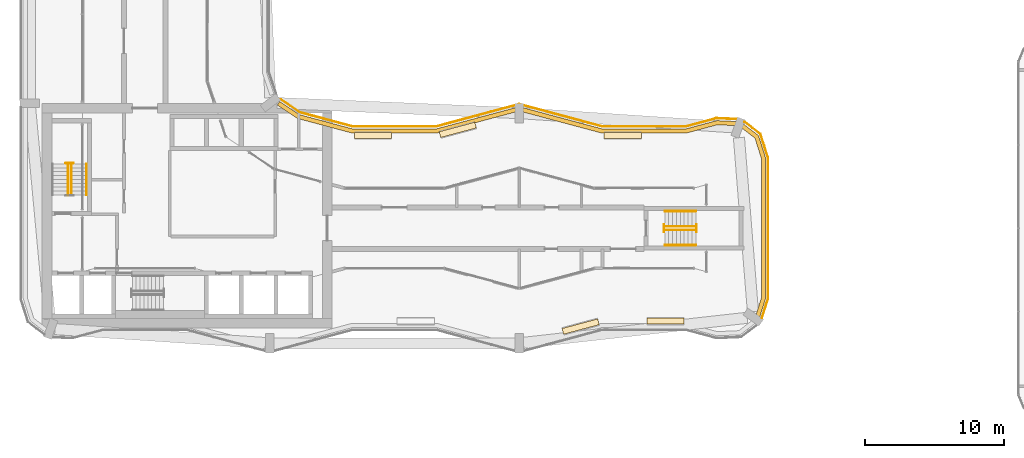
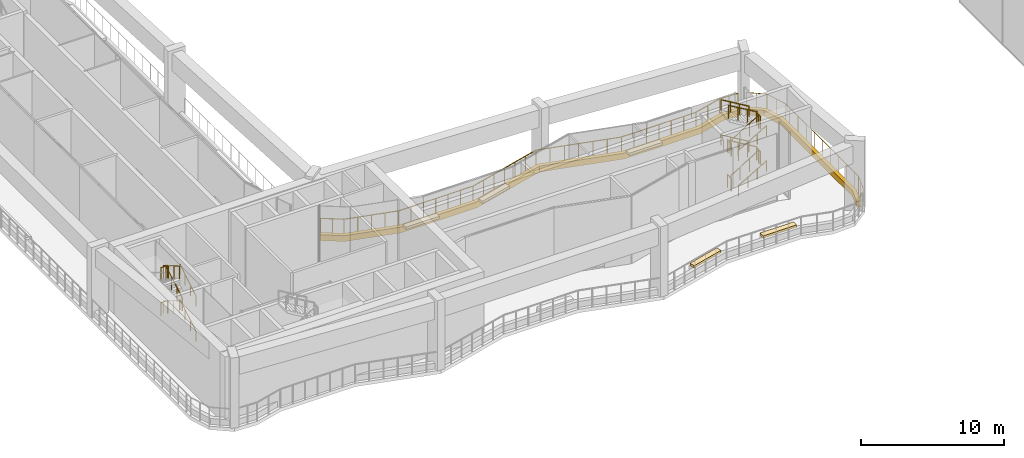
# One storey, part 22 of 24: 21 railings, 7 coverings.
"""IFC4 building model written with IfcOpenShell, lengths in metres."""

from ifc_helpers import new_model, si_unit, direction, frame, origin, origin_2d, place, context, subcontext, project, spatial, polyline, circle, outline, extrude, material, layer, layer_set, type_object, element, save


model = new_model("IFC4")

# Units and contexts
model_context = context("Model", 3, precision=1e-05, world=origin(), true_north=direction((0.0, 1.0)))
body_context = subcontext(model_context, "Body", "Model", "MODEL_VIEW")
ifc_project = project(units=[si_unit("LENGTHUNIT", "METRE"), si_unit("AREAUNIT", "SQUARE_METRE"), si_unit("VOLUMEUNIT", "CUBIC_METRE"), si_unit("PLANEANGLEUNIT", "RADIAN"), si_unit("MASSUNIT", "GRAM", prefix="KILO")], contexts=[model_context])

# Site, building, storey
site_placement = place(None, origin())
site = spatial("IfcSite", under=ifc_project, at=site_placement, CompositionType="ELEMENT")
building_placement = place(site_placement, origin())
building = spatial("IfcBuilding", under=site, at=building_placement, Name="Plateau Cross Towers", CompositionType="ELEMENT")
storey_placement = place(building_placement, frame((0.0, 0.0, 72.300048828125)))
storey = spatial("IfcBuildingStorey", under=building, at=storey_placement, Name="L18", CompositionType="ELEMENT", Elevation=72.300048828125)

# Railings
ifc_material_1 = material(Name="Stainless steel and toughened glass", Category="steel")
railing_type_1 = type_object("IfcRailingType", Name="Glass balustrade guard 1600", PredefinedType="GUARDRAIL", material=ifc_material_1)
railing_1_placement = place(storey_placement, frame((53.49609375, 2.5107421875, 0.0)))
element("IfcRailing", 1, at=railing_1_placement, inside=storey, type_object=railing_type_1, Name="Guard A535_22", PredefinedType="GUARDRAIL", context=body_context, shape_type="SweptSolid", body=[
    extrude(circle(Radius=0.02392578125, at=origin_2d()), frame((0.0, 0.0, 1.576171875), z_axis=(0.30070387127, 0.953717558716, 0.0), x_axis=(-0.953717558716, 0.30070387127, 0.0)), (0.0, 0.0, 1.0), 1.47607421875),
    extrude(circle(Radius=0.02392578125, at=origin_2d()), frame((0.44384765625, 1.40771484375, 1.576171875), z_axis=(0.0, 1.0, 0.0), x_axis=(-1.0, 0.0, 0.0)), (0.0, 0.0, 1.0), 10.1630859375),
    extrude(circle(Radius=0.02392578125, at=origin_2d()), frame((0.44384765625, 11.57080078125, 1.576171875), z_axis=(-0.300637904714, 0.953738355237, 0.0), x_axis=(-0.953738355237, -0.300637904714, 0.0)), (0.0, 0.0, 1.0), 1.776123046875),
    extrude(circle(Radius=0.02392578125, at=origin_2d()), frame((-0.090087890625, 13.2646484375, 1.576171875), z_axis=(-0.793378517032, 0.608728616636, 0.0), x_axis=(-0.608728616636, -0.793378517032, 0.0)), (0.0, 0.0, 1.0), 1.46630859375),
    extrude(circle(Radius=0.02099609375, at=origin_2d()), origin(), (0.0, 0.0, 1.0), 1.552001953125),
    extrude(circle(Radius=0.02099609375, at=origin_2d()), frame((0.221923828125, 0.703857421875, 0.0)), (0.0, 0.0, 1.0), 1.552001953125),
    extrude(circle(Radius=0.02099609375, at=origin_2d()), frame((0.44384765625, 1.40771484375, 0.0)), (0.0, 0.0, 1.0), 1.552001953125),
    extrude(circle(Radius=0.02099609375, at=origin_2d()), frame((0.44384765625, 1.9892578125, 0.0)), (0.0, 0.0, 1.0), 1.552001953125),
    extrude(circle(Radius=0.02099609375, at=origin_2d()), frame((0.44384765625, 3.1142578125, 0.0)), (0.0, 0.0, 1.0), 1.552001953125),
    extrude(circle(Radius=0.02099609375, at=origin_2d()), frame((0.44384765625, 4.2392578125, 0.0)), (0.0, 0.0, 1.0), 1.552001953125),
    extrude(circle(Radius=0.02099609375, at=origin_2d()), frame((0.44384765625, 5.3642578125, 0.0)), (0.0, 0.0, 1.0), 1.552001953125),
    extrude(circle(Radius=0.02099609375, at=origin_2d()), frame((0.44384765625, 6.4892578125, 0.0)), (0.0, 0.0, 1.0), 1.552001953125),
    extrude(circle(Radius=0.02099609375, at=origin_2d()), frame((0.44384765625, 7.6142578125, 0.0)), (0.0, 0.0, 1.0), 1.552001953125),
    extrude(circle(Radius=0.02099609375, at=origin_2d()), frame((0.44384765625, 8.7392578125, 0.0)), (0.0, 0.0, 1.0), 1.552001953125),
    extrude(circle(Radius=0.02099609375, at=origin_2d()), frame((0.44384765625, 9.8642578125, 0.0)), (0.0, 0.0, 1.0), 1.552001953125),
    extrude(circle(Radius=0.02099609375, at=origin_2d()), frame((0.44384765625, 10.9892578125, 0.0)), (0.0, 0.0, 1.0), 1.552001953125),
    extrude(circle(Radius=0.02099609375, at=origin_2d()), frame((0.44384765625, 11.57080078125, 0.0)), (0.0, 0.0, 1.0), 1.552001953125),
    extrude(circle(Radius=0.02099609375, at=origin_2d()), frame((0.1767578125, 12.417724609375, 0.0)), (0.0, 0.0, 1.0), 1.552001953125),
    extrude(circle(Radius=0.02099609375, at=origin_2d()), frame((-0.090087890625, 13.2646484375, 0.0)), (0.0, 0.0, 1.0), 1.552001953125),
    extrude(circle(Radius=0.02099609375, at=origin_2d()), frame((-0.671875, 13.7109375, 0.0)), (0.0, 0.0, 1.0), 1.552001953125),
    extrude(circle(Radius=0.02099609375, at=origin_2d()), frame((-1.25341796875, 14.1572265625, 0.0)), (0.0, 0.0, 1.0), 1.552001953125),
])
railing_2_placement = place(storey_placement, frame((51.705078125, 16.86376953125, 0.0)))
element("IfcRailing", 2, at=railing_2_placement, inside=storey, type_object=railing_type_1, Name="Guard A520_169", PredefinedType="GUARDRAIL", context=body_context, shape_type="SweptSolid", body=[
    extrude(circle(Radius=0.02392578125, at=origin_2d()), frame((0.0, 0.0, 1.576171875), z_axis=(-0.999038915809, 0.043832005412, 0.0), x_axis=(-0.043832005412, -0.999038915809, 0.0)), (0.0, 0.0, 1.0), 1.47607421875),
    extrude(circle(Radius=0.02392578125, at=origin_2d()), frame((-1.474609375, 0.064697265625, 1.576171875), z_axis=(-0.96593668607, -0.258778512448, 0.0), x_axis=(0.258778512448, -0.96593668607, 0.0)), (0.0, 0.0, 1.0), 2.301025390625),
    extrude(circle(Radius=0.02392578125, at=origin_2d()), frame((-3.697265625, -0.53076171875, 1.576171875), z_axis=(-1.0, 0.0, 0.0), x_axis=(0.0, -1.0, 0.0)), (0.0, 0.0, 1.0), 6.015625),
    extrude(circle(Radius=0.02392578125, at=origin_2d()), frame((-9.712890625, -0.53076171875, 1.576171875), z_axis=(-0.965950861745, 0.258725593428, 0.0), x_axis=(-0.258725593428, -0.965950861745, 0.0)), (0.0, 0.0, 1.0), 6.203369140625),
    extrude(circle(Radius=0.02392578125, at=origin_2d()), frame((-15.705078125, 1.07421875, 1.576171875), z_axis=(-0.965950861745, -0.258725593428, 0.0), x_axis=(0.258725593428, -0.965950861745, 0.0)), (0.0, 0.0, 1.0), 6.203369140625),
    extrude(circle(Radius=0.02392578125, at=origin_2d()), frame((-21.697265625, -0.53076171875, 1.576171875), z_axis=(-1.0, 0.0, 0.0), x_axis=(0.0, -1.0, 0.0)), (0.0, 0.0, 1.0), 6.015625),
    extrude(circle(Radius=0.02392578125, at=origin_2d()), frame((-27.712890625, -0.53076171875, 1.576171875), z_axis=(-0.965947496606, 0.258738156833, 0.0), x_axis=(-0.258738156833, -0.965947496606, 0.0)), (0.0, 0.0, 1.0), 3.92724609375),
    extrude(circle(Radius=0.02392578125, at=origin_2d()), frame((-31.50634765625, 0.4853515625, 1.576171875), z_axis=(-0.831551820231, 0.555447180451, 0.0), x_axis=(-0.555447180451, -0.831551820231, 0.0)), (0.0, 0.0, 1.0), 1.658935546875),
    extrude(circle(Radius=0.02099609375, at=origin_2d()), origin(), (0.0, 0.0, 1.0), 1.552001953125),
    extrude(circle(Radius=0.02099609375, at=origin_2d()), frame((-0.7373046875, 0.0322265625, 0.0)), (0.0, 0.0, 1.0), 1.552001953125),
    extrude(circle(Radius=0.02099609375, at=origin_2d()), frame((-1.474609375, 0.064697265625, 0.0)), (0.0, 0.0, 1.0), 1.552001953125),
    extrude(circle(Radius=0.02099609375, at=origin_2d()), frame((-2.5859375, -0.23291015625, 0.0)), (0.0, 0.0, 1.0), 1.552001953125),
    extrude(circle(Radius=0.02099609375, at=origin_2d()), frame((-3.697265625, -0.53076171875, 0.0)), (0.0, 0.0, 1.0), 1.552001953125),
    extrude(circle(Radius=0.02099609375, at=origin_2d()), frame((-4.699951171875, -0.53076171875, 0.0)), (0.0, 0.0, 1.0), 1.552001953125),
    extrude(circle(Radius=0.02099609375, at=origin_2d()), frame((-5.702392578125, -0.53076171875, 0.0)), (0.0, 0.0, 1.0), 1.552001953125),
    extrude(circle(Radius=0.02099609375, at=origin_2d()), frame((-6.705078125, -0.53076171875, 0.0)), (0.0, 0.0, 1.0), 1.552001953125),
    extrude(circle(Radius=0.02099609375, at=origin_2d()), frame((-7.707763671875, -0.53076171875, 0.0)), (0.0, 0.0, 1.0), 1.552001953125),
    extrude(circle(Radius=0.02099609375, at=origin_2d()), frame((-8.710205078125, -0.53076171875, 0.0)), (0.0, 0.0, 1.0), 1.552001953125),
    extrude(circle(Radius=0.02099609375, at=origin_2d()), frame((-9.712890625, -0.53076171875, 0.0)), (0.0, 0.0, 1.0), 1.552001953125),
    extrude(circle(Radius=0.02099609375, at=origin_2d()), frame((-10.711669921875, -0.26318359375, 0.0)), (0.0, 0.0, 1.0), 1.552001953125),
    extrude(circle(Radius=0.02099609375, at=origin_2d()), frame((-11.710205078125, 0.004150390625, 0.0)), (0.0, 0.0, 1.0), 1.552001953125),
    extrude(circle(Radius=0.02099609375, at=origin_2d()), frame((-12.708984375, 0.271728515625, 0.0)), (0.0, 0.0, 1.0), 1.552001953125),
    extrude(circle(Radius=0.02099609375, at=origin_2d()), frame((-13.707763671875, 0.539306640625, 0.0)), (0.0, 0.0, 1.0), 1.552001953125),
    extrude(circle(Radius=0.02099609375, at=origin_2d()), frame((-14.706298828125, 0.806640625, 0.0)), (0.0, 0.0, 1.0), 1.552001953125),
    extrude(circle(Radius=0.02099609375, at=origin_2d()), frame((-15.705078125, 1.07421875, 0.0)), (0.0, 0.0, 1.0), 1.552001953125),
    extrude(circle(Radius=0.02099609375, at=origin_2d()), frame((-16.703857421875, 0.806640625, 0.0)), (0.0, 0.0, 1.0), 1.552001953125),
    extrude(circle(Radius=0.02099609375, at=origin_2d()), frame((-17.702392578125, 0.539306640625, 0.0)), (0.0, 0.0, 1.0), 1.552001953125),
    extrude(circle(Radius=0.02099609375, at=origin_2d()), frame((-18.701171875, 0.271728515625, 0.0)), (0.0, 0.0, 1.0), 1.552001953125),
    extrude(circle(Radius=0.02099609375, at=origin_2d()), frame((-19.699951171875, 0.004150390625, 0.0)), (0.0, 0.0, 1.0), 1.552001953125),
    extrude(circle(Radius=0.02099609375, at=origin_2d()), frame((-20.698486328125, -0.26318359375, 0.0)), (0.0, 0.0, 1.0), 1.552001953125),
    extrude(circle(Radius=0.02099609375, at=origin_2d()), frame((-21.697265625, -0.53076171875, 0.0)), (0.0, 0.0, 1.0), 1.552001953125),
    extrude(circle(Radius=0.02099609375, at=origin_2d()), frame((-22.699951171875, -0.53076171875, 0.0)), (0.0, 0.0, 1.0), 1.552001953125),
    extrude(circle(Radius=0.02099609375, at=origin_2d()), frame((-23.702392578125, -0.53076171875, 0.0)), (0.0, 0.0, 1.0), 1.552001953125),
    extrude(circle(Radius=0.02099609375, at=origin_2d()), frame((-24.705078125, -0.53076171875, 0.0)), (0.0, 0.0, 1.0), 1.552001953125),
    extrude(circle(Radius=0.02099609375, at=origin_2d()), frame((-25.707763671875, -0.53076171875, 0.0)), (0.0, 0.0, 1.0), 1.552001953125),
    extrude(circle(Radius=0.02099609375, at=origin_2d()), frame((-26.710205078125, -0.53076171875, 0.0)), (0.0, 0.0, 1.0), 1.552001953125),
    extrude(circle(Radius=0.02099609375, at=origin_2d()), frame((-27.712890625, -0.53076171875, 0.0)), (0.0, 0.0, 1.0), 1.552001953125),
    extrude(circle(Radius=0.02099609375, at=origin_2d()), frame((-28.6611328125, -0.27685546875, 0.0)), (0.0, 0.0, 1.0), 1.552001953125),
    extrude(circle(Radius=0.02099609375, at=origin_2d()), frame((-29.609619140625, -0.022705078125, 0.0)), (0.0, 0.0, 1.0), 1.552001953125),
    extrude(circle(Radius=0.02099609375, at=origin_2d()), frame((-30.55810546875, 0.2314453125, 0.0)), (0.0, 0.0, 1.0), 1.552001953125),
    extrude(circle(Radius=0.02099609375, at=origin_2d()), frame((-31.50634765625, 0.4853515625, 0.0)), (0.0, 0.0, 1.0), 1.552001953125),
    extrude(circle(Radius=0.02099609375, at=origin_2d()), frame((-32.196044921875, 0.946044921875, 0.0)), (0.0, 0.0, 1.0), 1.552001953125),
    extrude(circle(Radius=0.02099609375, at=origin_2d()), frame((-32.8857421875, 1.40673828125, 0.0)), (0.0, 0.0, 1.0), 1.552001953125),
])

# Coverings
ifc_material_2 = material(Name="Planting substrate and ground cover")
ifc_layer = layer(ifc_material_2, 0.199951171875)
ifc_layer_set = layer_set([ifc_layer], Name="Planting substrate and ground cover")
covering_type_1 = type_object("IfcCoveringType", Name="Planting bed 200", PredefinedType="FLOORING", material=ifc_layer_set)
covering_1_placement = place(storey_placement, frame((0.0, 0.0, 0.449951171875)))
element("IfcCovering", 3, at=covering_1_placement, inside=storey, type_object=covering_type_1, Name="Planting bed 5", PredefinedType="FLOORING", context=body_context, shape_type="SweptSolid", body=[
    extrude(outline(polyline([(26.800048828125, 15.9130859375), (26.800048828125, 15.483154296875), (24.108642578125, 15.483154296875), (24.108642578125, 15.9130859375), (26.800048828125, 15.9130859375)])), origin(), (0.0, 0.0, 1.0), 0.199951171875),
])
covering_2_placement = place(storey_placement, frame((0.0, 0.0, 0.449951171875)))
element("IfcCovering", 4, at=covering_2_placement, inside=storey, type_object=covering_type_1, Name="Planting bed 6", PredefinedType="FLOORING", context=body_context, shape_type="SweptSolid", body=[
    extrude(outline(polyline([(32.796875, 16.645263671875), (32.908203125, 16.22998046875), (30.34033203125, 15.542236328125), (30.22900390625, 15.95751953125), (32.796875, 16.645263671875)])), origin(), (0.0, 0.0, 1.0), 0.199951171875),
])
covering_3_placement = place(storey_placement, frame((0.0, 0.0, 0.449951171875)))
element("IfcCovering", 5, at=covering_3_placement, inside=storey, type_object=covering_type_1, Name="Planting bed 7", PredefinedType="FLOORING", context=body_context, shape_type="SweptSolid", body=[
    extrude(outline(polyline([(44.800048828125, 15.9130859375), (44.800048828125, 15.483154296875), (42.108642578125, 15.483154296875), (42.108642578125, 15.9130859375), (44.800048828125, 15.9130859375)])), origin(), (0.0, 0.0, 1.0), 0.199951171875),
])
covering_4_placement = place(storey_placement, frame((0.0, 0.0, 0.449951171875)))
element("IfcCovering", 6, at=covering_4_placement, inside=storey, type_object=covering_type_1, Name="Planting bed 8", PredefinedType="FLOORING", context=body_context, shape_type="SweptSolid", body=[
    extrude(outline(polyline([(45.199951171875, 2.0869140625), (45.199951171875, 2.516845703125), (47.891357421875, 2.516845703125), (47.891357421875, 2.0869140625), (45.199951171875, 2.0869140625)])), origin(), (0.0, 0.0, 1.0), 0.199951171875),
])
covering_5_placement = place(storey_placement, frame((0.0, 0.0, 0.449951171875)))
element("IfcCovering", 7, at=covering_5_placement, inside=storey, type_object=covering_type_1, Name="Planting bed 9", PredefinedType="FLOORING", context=body_context, shape_type="SweptSolid", body=[
    extrude(outline(polyline([(39.203125, 1.354736328125), (39.091796875, 1.77001953125), (41.65966796875, 2.457763671875), (41.77099609375, 2.04248046875), (39.203125, 1.354736328125)])), origin(), (0.0, 0.0, 1.0), 0.199951171875),
])

# Railings
railing_type_2 = type_object("IfcRailingType", Name="RL-GUARD-1100", PredefinedType="GUARDRAIL", material=ifc_material_1)
railing_3_placement = place(storey_placement, frame((3.85009765625, 13.68994140625, 1.5)))
element("IfcRailing", 8, at=railing_3_placement, inside=storey, type_object=railing_type_2, Name="L18 ST-1 stair guard 2", PredefinedType="GUARDRAIL", context=body_context, shape_type="SweptSolid", body=[
    extrude(circle(Radius=0.02392578125, at=origin_2d()), frame((0.0, 0.0, 1.076171875), z_axis=(-1.0, 0.0, 0.0), x_axis=(0.0, -1.0, 0.0)), (0.0, 0.0, 1.0), 0.550048828125),
    extrude(circle(Radius=0.02099609375, at=origin_2d()), origin(), (0.0, 0.0, 1.0), 1.052001953125),
    extrude(circle(Radius=0.02099609375, at=origin_2d()), frame((-0.550048828125, 0.0, 0.0)), (0.0, 0.0, 1.0), 1.052001953125),
])
railing_4_placement = place(storey_placement, frame((3.449951171875, 13.639892578125, 1.66650390625)))
element("IfcRailing", 9, at=railing_4_placement, inside=storey, type_object=railing_type_2, Name="L18 ST-1 stair guard 3", PredefinedType="GUARDRAIL", context=body_context, shape_type="SweptSolid", body=[
    extrude(circle(Radius=0.02392578125, at=origin_2d()), frame((0.0, 0.0, 1.076171875), z_axis=(0.0, -0.859264461869, 0.511531606619), x_axis=(1.0, 0.0, 0.0)), (0.0, 0.0, 1.0), 2.60693359375),
    extrude(circle(Radius=0.02099609375, at=origin_2d()), origin(), (0.0, 0.0, 1.0), 1.052001953125),
    extrude(circle(Radius=0.02099609375, at=origin_2d()), frame((0.0, -0.74658203125, 0.444580078125)), (0.0, 0.0, 1.0), 1.052001953125),
    extrude(circle(Radius=0.02099609375, at=origin_2d()), frame((0.0, -1.493408203125, 0.888916015625)), (0.0, 0.0, 1.0), 1.052001953125),
    extrude(circle(Radius=0.02099609375, at=origin_2d()), frame((0.0, -2.239990234375, 1.33349609375)), (0.0, 0.0, 1.0), 1.052001953125),
])
railing_5_placement = place(storey_placement, frame((3.699951171875, 11.39990234375, 3.16650390625)))
element("IfcRailing", 10, at=railing_5_placement, inside=storey, type_object=railing_type_2, Name="L18 ST-1 stair guard 5", PredefinedType="GUARDRAIL", context=body_context, shape_type="SweptSolid", body=[
    extrude(circle(Radius=0.02392578125, at=origin_2d()), frame((0.0, 0.0, 1.076171875), z_axis=(0.0, 0.859264461869, 0.511531606619), x_axis=(-1.0, 0.0, 0.0)), (0.0, 0.0, 1.0), 2.60693359375),
    extrude(circle(Radius=0.02099609375, at=origin_2d()), origin(), (0.0, 0.0, 1.0), 1.052001953125),
    extrude(circle(Radius=0.02099609375, at=origin_2d()), frame((0.0, 0.74658203125, 0.444580078125)), (0.0, 0.0, 1.0), 1.052001953125),
    extrude(circle(Radius=0.02099609375, at=origin_2d()), frame((0.0, 1.493408203125, 0.888916015625)), (0.0, 0.0, 1.0), 1.052001953125),
    extrude(circle(Radius=0.02099609375, at=origin_2d()), frame((0.0, 2.239990234375, 1.33349609375)), (0.0, 0.0, 1.0), 1.052001953125),
])
railing_6_placement = place(storey_placement, frame((3.85009765625, 13.68994140625, 4.5)))
element("IfcRailing", 11, at=railing_6_placement, inside=storey, type_object=railing_type_2, Name="L18 ST-1 stair guard 6", PredefinedType="GUARDRAIL", context=body_context, shape_type="SweptSolid", body=[
    extrude(circle(Radius=0.02392578125, at=origin_2d()), frame((0.0, 0.0, 1.076171875), z_axis=(-1.0, 0.0, 0.0), x_axis=(0.0, -1.0, 0.0)), (0.0, 0.0, 1.0), 0.550048828125),
    extrude(circle(Radius=0.02099609375, at=origin_2d()), origin(), (0.0, 0.0, 1.0), 1.052001953125),
    extrude(circle(Radius=0.02099609375, at=origin_2d()), frame((-0.550048828125, 0.0, 0.0)), (0.0, 0.0, 1.0), 1.052001953125),
])
railing_7_placement = place(storey_placement, frame((3.449951171875, 13.639892578125, 4.66650390625)))
element("IfcRailing", 12, at=railing_7_placement, inside=storey, type_object=railing_type_2, Name="L18 ST-1 stair guard 7", PredefinedType="GUARDRAIL", context=body_context, shape_type="SweptSolid", body=[
    extrude(circle(Radius=0.02392578125, at=origin_2d()), frame((0.0, 0.0, 1.076171875), z_axis=(0.0, -0.864142922442, 0.503246470026), x_axis=(1.0, 0.0, 0.0)), (0.0, 0.0, 1.0), 2.64990234375),
    extrude(circle(Radius=0.02099609375, at=origin_2d()), origin(), (0.0, 0.0, 1.0), 1.052001953125),
    extrude(circle(Radius=0.02099609375, at=origin_2d()), frame((0.0, -0.76318359375, 0.444580078125)), (0.0, 0.0, 1.0), 1.052001953125),
    extrude(circle(Radius=0.02099609375, at=origin_2d()), frame((0.0, -1.526611328125, 0.888916015625)), (0.0, 0.0, 1.0), 1.052001953125),
    extrude(circle(Radius=0.02099609375, at=origin_2d()), frame((0.0, -2.289794921875, 1.33349609375)), (0.0, 0.0, 1.0), 1.052001953125),
])
railing_8_placement = place(storey_placement, frame((46.5, 8.875, 0.16650390625)))
element("IfcRailing", 13, at=railing_8_placement, inside=storey, type_object=railing_type_2, Name="L18 ES-E stair guard 1", PredefinedType="GUARDRAIL", context=body_context, shape_type="SweptSolid", body=[
    extrude(circle(Radius=0.02392578125, at=origin_2d()), frame((0.0, 0.0, 1.076171875), z_axis=(0.859264461869, 0.0, 0.511531606619), x_axis=(0.0, 1.0, 0.0)), (0.0, 0.0, 1.0), 2.60693359375),
    extrude(circle(Radius=0.02099609375, at=origin_2d()), origin(), (0.0, 0.0, 1.0), 1.052001953125),
    extrude(circle(Radius=0.02099609375, at=origin_2d()), frame((0.74658203125, 0.0, 0.444580078125)), (0.0, 0.0, 1.0), 1.052001953125),
    extrude(circle(Radius=0.02099609375, at=origin_2d()), frame((1.493408203125, 0.0, 0.888916015625)), (0.0, 0.0, 1.0), 1.052001953125),
    extrude(circle(Radius=0.02099609375, at=origin_2d()), frame((2.239990234375, 0.0, 1.33349609375)), (0.0, 0.0, 1.0), 1.052001953125),
])
railing_9_placement = place(storey_placement, frame((48.7900390625, 8.72509765625, 1.5)))
element("IfcRailing", 14, at=railing_9_placement, inside=storey, type_object=railing_type_2, Name="L18 ES-E stair guard 2", PredefinedType="GUARDRAIL", context=body_context, shape_type="SweptSolid", body=[
    extrude(circle(Radius=0.02392578125, at=origin_2d()), frame((0.0, 0.0, 1.076171875), z_axis=(0.0, 1.0, 0.0), x_axis=(-1.0, 0.0, 0.0)), (0.0, 0.0, 1.0), 0.5498046875),
    extrude(circle(Radius=0.02099609375, at=origin_2d()), origin(), (0.0, 0.0, 1.0), 1.052001953125),
    extrude(circle(Radius=0.02099609375, at=origin_2d()), frame((0.0, 0.5498046875, 0.0)), (0.0, 0.0, 1.0), 1.052001953125),
])
railing_10_placement = place(storey_placement, frame((48.739990234375, 9.125, 1.66650390625)))
element("IfcRailing", 15, at=railing_10_placement, inside=storey, type_object=railing_type_2, Name="L18 ES-E stair guard 3", PredefinedType="GUARDRAIL", context=body_context, shape_type="SweptSolid", body=[
    extrude(circle(Radius=0.02392578125, at=origin_2d()), frame((0.0, 0.0, 1.076171875), z_axis=(-0.859264461869, 0.0, 0.511531606619), x_axis=(0.0, -1.0, 0.0)), (0.0, 0.0, 1.0), 2.60693359375),
    extrude(circle(Radius=0.02099609375, at=origin_2d()), origin(), (0.0, 0.0, 1.0), 1.052001953125),
    extrude(circle(Radius=0.02099609375, at=origin_2d()), frame((-0.74658203125, 0.0, 0.444580078125)), (0.0, 0.0, 1.0), 1.052001953125),
    extrude(circle(Radius=0.02099609375, at=origin_2d()), frame((-1.493408203125, 0.0, 0.888916015625)), (0.0, 0.0, 1.0), 1.052001953125),
    extrude(circle(Radius=0.02099609375, at=origin_2d()), frame((-2.239990234375, 0.0, 1.33349609375)), (0.0, 0.0, 1.0), 1.052001953125),
])
railing_11_placement = place(storey_placement, frame((46.449951171875, 8.72509765625, 3.0)))
element("IfcRailing", 16, at=railing_11_placement, inside=storey, type_object=railing_type_2, Name="L18 ES-E stair guard 4", PredefinedType="GUARDRAIL", context=body_context, shape_type="SweptSolid", body=[
    extrude(circle(Radius=0.02392578125, at=origin_2d()), frame((0.0, 0.0, 1.076171875), z_axis=(0.0, 1.0, 0.0), x_axis=(-1.0, 0.0, 0.0)), (0.0, 0.0, 1.0), 0.5498046875),
    extrude(circle(Radius=0.02099609375, at=origin_2d()), origin(), (0.0, 0.0, 1.0), 1.052001953125),
    extrude(circle(Radius=0.02099609375, at=origin_2d()), frame((0.0, 0.5498046875, 0.0)), (0.0, 0.0, 1.0), 1.052001953125),
])
railing_12_placement = place(storey_placement, frame((46.5, 8.875, 3.16650390625)))
element("IfcRailing", 17, at=railing_12_placement, inside=storey, type_object=railing_type_2, Name="L18 ES-E stair guard 5", PredefinedType="GUARDRAIL", context=body_context, shape_type="SweptSolid", body=[
    extrude(circle(Radius=0.02392578125, at=origin_2d()), frame((0.0, 0.0, 1.076171875), z_axis=(0.859264461869, 0.0, 0.511531606619), x_axis=(0.0, 1.0, 0.0)), (0.0, 0.0, 1.0), 2.60693359375),
    extrude(circle(Radius=0.02099609375, at=origin_2d()), origin(), (0.0, 0.0, 1.0), 1.052001953125),
    extrude(circle(Radius=0.02099609375, at=origin_2d()), frame((0.74658203125, 0.0, 0.444580078125)), (0.0, 0.0, 1.0), 1.052001953125),
    extrude(circle(Radius=0.02099609375, at=origin_2d()), frame((1.493408203125, 0.0, 0.888916015625)), (0.0, 0.0, 1.0), 1.052001953125),
    extrude(circle(Radius=0.02099609375, at=origin_2d()), frame((2.239990234375, 0.0, 1.33349609375)), (0.0, 0.0, 1.0), 1.052001953125),
])
railing_13_placement = place(storey_placement, frame((48.7900390625, 8.72509765625, 4.5)))
element("IfcRailing", 18, at=railing_13_placement, inside=storey, type_object=railing_type_2, Name="L18 ES-E stair guard 6", PredefinedType="GUARDRAIL", context=body_context, shape_type="SweptSolid", body=[
    extrude(circle(Radius=0.02392578125, at=origin_2d()), frame((0.0, 0.0, 1.076171875), z_axis=(0.0, 1.0, 0.0), x_axis=(-1.0, 0.0, 0.0)), (0.0, 0.0, 1.0), 0.5498046875),
    extrude(circle(Radius=0.02099609375, at=origin_2d()), origin(), (0.0, 0.0, 1.0), 1.052001953125),
    extrude(circle(Radius=0.02099609375, at=origin_2d()), frame((0.0, 0.5498046875, 0.0)), (0.0, 0.0, 1.0), 1.052001953125),
])
railing_14_placement = place(storey_placement, frame((48.739990234375, 9.125, 4.66650390625)))
element("IfcRailing", 19, at=railing_14_placement, inside=storey, type_object=railing_type_2, Name="L18 ES-E stair guard 7", PredefinedType="GUARDRAIL", context=body_context, shape_type="SweptSolid", body=[
    extrude(circle(Radius=0.02392578125, at=origin_2d()), frame((0.0, 0.0, 1.076171875), z_axis=(-0.864166253726, 0.0, 0.503206404888), x_axis=(0.0, -1.0, 0.0)), (0.0, 0.0, 1.0), 2.64990234375),
    extrude(circle(Radius=0.02099609375, at=origin_2d()), origin(), (0.0, 0.0, 1.0), 1.052001953125),
    extrude(circle(Radius=0.02099609375, at=origin_2d()), frame((-0.763427734375, 0.0, 0.444580078125)), (0.0, 0.0, 1.0), 1.052001953125),
    extrude(circle(Radius=0.02099609375, at=origin_2d()), frame((-1.526611328125, 0.0, 0.888916015625)), (0.0, 0.0, 1.0), 1.052001953125),
    extrude(circle(Radius=0.02099609375, at=origin_2d()), frame((-2.2900390625, 0.0, 1.33349609375)), (0.0, 0.0, 1.0), 1.052001953125),
])
railing_15_placement = place(storey_placement, frame((46.449951171875, 8.72509765625, 0.0)))
element("IfcRailing", 20, at=railing_15_placement, inside=storey, type_object=railing_type_2, Name="L18 ES-E stair guard 8", PredefinedType="GUARDRAIL", context=body_context, shape_type="SweptSolid", body=[
    extrude(circle(Radius=0.02392578125, at=origin_2d()), frame((0.0, 0.0, 1.076171875), z_axis=(0.0, 1.0, 0.0), x_axis=(-1.0, 0.0, 0.0)), (0.0, 0.0, 1.0), 0.5498046875),
    extrude(circle(Radius=0.02099609375, at=origin_2d()), origin(), (0.0, 0.0, 1.0), 1.052001953125),
    extrude(circle(Radius=0.02099609375, at=origin_2d()), frame((0.0, 0.5498046875, 0.0)), (0.0, 0.0, 1.0), 1.052001953125),
])
ifc_material_3 = material(Name="Black anodised aluminium", Category="aluminium")
railing_type_3 = type_object("IfcRailingType", Name="RL-HANDRAIL-900", PredefinedType="HANDRAIL", material=ifc_material_3)
for number, where, name in (
    (21, (4.800048828125, 11.39990234375, 0.16650390625), "L18 ST-1 stair handrail 1"),
    (22, (4.800048828125, 11.39990234375, 3.16650390625), "L18 ST-1 stair handrail 3"),
):
    element("IfcRailing", number, at=place(storey_placement, frame(where)), inside=storey, type_object=railing_type_3, Name=name, PredefinedType="HANDRAIL", context=body_context, shape_type="SweptSolid", body=[
        extrude(circle(Radius=0.02392578125, at=origin_2d()), frame((0.0, 0.0, 0.8759765625), z_axis=(0.0, 0.859264461869, 0.511531606619), x_axis=(-1.0, 0.0, 0.0)), (0.0, 0.0, 1.0), 2.60693359375),
        extrude(circle(Radius=0.02099609375, at=origin_2d()), origin(), (0.0, 0.0, 1.0), 0.851806640625),
        extrude(circle(Radius=0.02099609375, at=origin_2d()), frame((0.0, 0.74658203125, 0.444580078125)), (0.0, 0.0, 1.0), 0.851806640625),
        extrude(circle(Radius=0.02099609375, at=origin_2d()), frame((0.0, 1.493408203125, 0.888916015625)), (0.0, 0.0, 1.0), 0.851806640625),
        extrude(circle(Radius=0.02099609375, at=origin_2d()), frame((0.0, 2.239990234375, 1.33349609375)), (0.0, 0.0, 1.0), 0.851806640625),
    ])
railing_16_placement = place(storey_placement, frame((46.5, 7.77490234375, 0.16650390625)))
element("IfcRailing", 23, at=railing_16_placement, inside=storey, type_object=railing_type_3, Name="L18 ES-E stair handrail 1", PredefinedType="HANDRAIL", context=body_context, shape_type="SweptSolid", body=[
    extrude(circle(Radius=0.02392578125, at=origin_2d()), frame((0.0, 0.0, 0.8759765625), z_axis=(0.859264461869, 0.0, 0.511531606619), x_axis=(0.0, 1.0, 0.0)), (0.0, 0.0, 1.0), 2.60693359375),
    extrude(circle(Radius=0.02099609375, at=origin_2d()), origin(), (0.0, 0.0, 1.0), 0.851806640625),
    extrude(circle(Radius=0.02099609375, at=origin_2d()), frame((0.74658203125, 0.0, 0.444580078125)), (0.0, 0.0, 1.0), 0.851806640625),
    extrude(circle(Radius=0.02099609375, at=origin_2d()), frame((1.493408203125, 0.0, 0.888916015625)), (0.0, 0.0, 1.0), 0.851806640625),
    extrude(circle(Radius=0.02099609375, at=origin_2d()), frame((2.239990234375, 0.0, 1.33349609375)), (0.0, 0.0, 1.0), 0.851806640625),
])
railing_17_placement = place(storey_placement, frame((48.739990234375, 10.22509765625, 1.66650390625)))
element("IfcRailing", 24, at=railing_17_placement, inside=storey, type_object=railing_type_3, Name="L18 ES-E stair handrail 2", PredefinedType="HANDRAIL", context=body_context, shape_type="SweptSolid", body=[
    extrude(circle(Radius=0.02392578125, at=origin_2d()), frame((0.0, 0.0, 0.8759765625), z_axis=(-0.859264461869, 0.0, 0.511531606619), x_axis=(0.0, -1.0, 0.0)), (0.0, 0.0, 1.0), 2.60693359375),
    extrude(circle(Radius=0.02099609375, at=origin_2d()), origin(), (0.0, 0.0, 1.0), 0.851806640625),
    extrude(circle(Radius=0.02099609375, at=origin_2d()), frame((-0.74658203125, 0.0, 0.444580078125)), (0.0, 0.0, 1.0), 0.851806640625),
    extrude(circle(Radius=0.02099609375, at=origin_2d()), frame((-1.493408203125, 0.0, 0.888916015625)), (0.0, 0.0, 1.0), 0.851806640625),
    extrude(circle(Radius=0.02099609375, at=origin_2d()), frame((-2.239990234375, 0.0, 1.33349609375)), (0.0, 0.0, 1.0), 0.851806640625),
])
railing_18_placement = place(storey_placement, frame((46.5, 7.77490234375, 3.16650390625)))
element("IfcRailing", 25, at=railing_18_placement, inside=storey, type_object=railing_type_3, Name="L18 ES-E stair handrail 3", PredefinedType="HANDRAIL", context=body_context, shape_type="SweptSolid", body=[
    extrude(circle(Radius=0.02392578125, at=origin_2d()), frame((0.0, 0.0, 0.8759765625), z_axis=(0.859264461869, 0.0, 0.511531606619), x_axis=(0.0, 1.0, 0.0)), (0.0, 0.0, 1.0), 2.60693359375),
    extrude(circle(Radius=0.02099609375, at=origin_2d()), origin(), (0.0, 0.0, 1.0), 0.851806640625),
    extrude(circle(Radius=0.02099609375, at=origin_2d()), frame((0.74658203125, 0.0, 0.444580078125)), (0.0, 0.0, 1.0), 0.851806640625),
    extrude(circle(Radius=0.02099609375, at=origin_2d()), frame((1.493408203125, 0.0, 0.888916015625)), (0.0, 0.0, 1.0), 0.851806640625),
    extrude(circle(Radius=0.02099609375, at=origin_2d()), frame((2.239990234375, 0.0, 1.33349609375)), (0.0, 0.0, 1.0), 0.851806640625),
])
railing_19_placement = place(storey_placement, frame((48.739990234375, 10.22509765625, 4.66650390625)))
element("IfcRailing", 26, at=railing_19_placement, inside=storey, type_object=railing_type_3, Name="L18 ES-E stair handrail 4", PredefinedType="HANDRAIL", context=body_context, shape_type="SweptSolid", body=[
    extrude(circle(Radius=0.02392578125, at=origin_2d()), frame((0.0, 0.0, 0.8759765625), z_axis=(-0.859264461869, 0.0, 0.511531606619), x_axis=(0.0, -1.0, 0.0)), (0.0, 0.0, 1.0), 2.60693359375),
    extrude(circle(Radius=0.02099609375, at=origin_2d()), origin(), (0.0, 0.0, 1.0), 0.851806640625),
    extrude(circle(Radius=0.02099609375, at=origin_2d()), frame((-0.74658203125, 0.0, 0.444580078125)), (0.0, 0.0, 1.0), 0.851806640625),
    extrude(circle(Radius=0.02099609375, at=origin_2d()), frame((-1.493408203125, 0.0, 0.888916015625)), (0.0, 0.0, 1.0), 0.851806640625),
    extrude(circle(Radius=0.02099609375, at=origin_2d()), frame((-2.239990234375, 0.0, 1.33349609375)), (0.0, 0.0, 1.0), 0.851806640625),
])

# Coverings
ifc_material_4 = material(Name="Light precast concrete cladding C40/50", Category="concrete")
covering_type_2 = type_object("IfcCoveringType", Name="Sill kerb cladding 300x500", PredefinedType="CLADDING", material=ifc_material_4)
covering_6_placement = place(storey_placement, origin())
element("IfcCovering", 27, at=covering_6_placement, inside=storey, type_object=covering_type_2, Name="Sill kerb 1", PredefinedType="CLADDING", context=body_context, shape_type="SweptSolid", body=[
    extrude(outline(polyline([(53.469970703125, 14.00927734375), (53.002197265625, 15.49267578125), (51.95654296875, 16.295166015625), (52.13916015625, 16.533203125), (53.260009765625, 15.673095703125), (53.77001953125, 14.055419921875), (53.77001953125, 3.944580078125), (53.333984375, 2.561767578125), (53.0478515625, 2.652099609375), (53.469970703125, 3.99072265625), (53.469970703125, 14.00927734375)])), origin(), (0.0, 0.0, 1.0), 0.5),
])
covering_7_placement = place(storey_placement, origin())
element("IfcCovering", 28, at=covering_7_placement, inside=storey, type_object=covering_type_2, Name="Sill kerb 2", PredefinedType="CLADDING", context=body_context, shape_type="SweptSolid", body=[
    extrude(outline(polyline([(48.126220703125, 15.878173828125), (48.089599609375, 15.8701171875), (48.048828125, 15.86474609375), (48.01123046875, 15.863037109375), (41.98876953125, 15.863037109375), (41.951171875, 15.86474609375), (41.910400390625, 15.8701171875), (41.873779296875, 15.878173828125), (36.0, 17.451416015625), (30.126220703125, 15.878173828125), (30.089599609375, 15.8701171875), (30.048828125, 15.86474609375), (30.01123046875, 15.863037109375), (23.98876953125, 15.863037109375), (23.951171875, 15.86474609375), (23.910400390625, 15.8701171875), (23.873779296875, 15.878173828125), (20.0732421875, 16.89599609375), (20.0283203125, 16.91064453125), (19.981689453125, 16.931884765625), (19.941162109375, 16.955810546875), (18.55810546875, 17.8798828125), (18.724853515625, 18.129150390625), (20.10107421875, 17.2099609375), (20.120361328125, 17.198486328125), (20.13720703125, 17.190673828125), (20.15869140625, 17.183837890625), (23.945068359375, 16.169677734375), (23.962646484375, 16.165771484375), (23.977294921875, 16.163818359375), (23.995361328125, 16.1630859375), (30.004638671875, 16.1630859375), (30.022705078125, 16.163818359375), (30.037353515625, 16.165771484375), (30.054931640625, 16.169677734375), (36.0, 17.761962890625), (41.945068359375, 16.169677734375), (41.962646484375, 16.165771484375), (41.977294921875, 16.163818359375), (41.995361328125, 16.1630859375), (48.004638671875, 16.1630859375), (48.022705078125, 16.163818359375), (48.037353515625, 16.165771484375), (48.054931640625, 16.169677734375), (50.249267578125, 16.75732421875), (51.697509765625, 16.694091796875), (51.6845703125, 16.394287109375), (50.2822265625, 16.45556640625), (48.126220703125, 15.878173828125)])), origin(), (0.0, 0.0, 1.0), 0.5),
])

save(model, "model.ifc")
